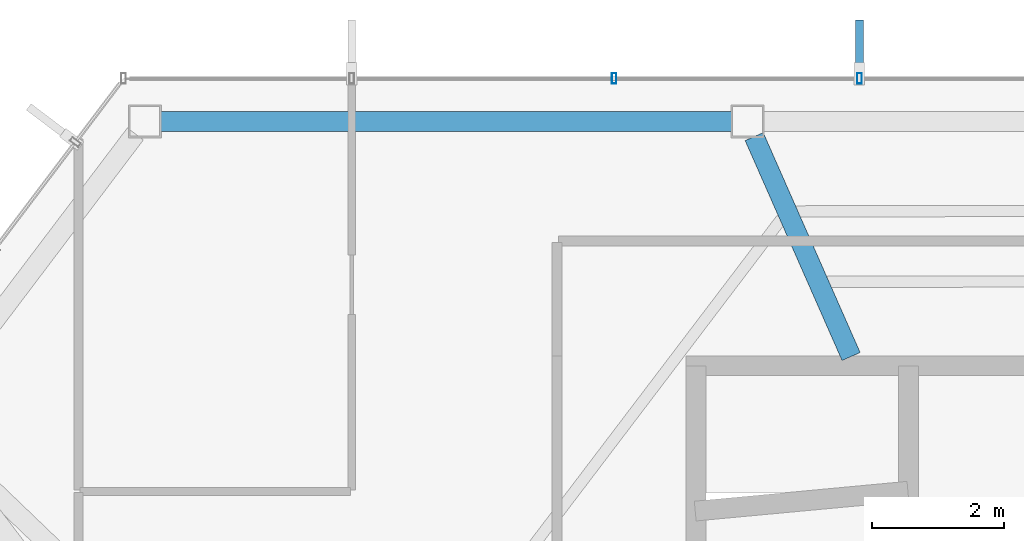
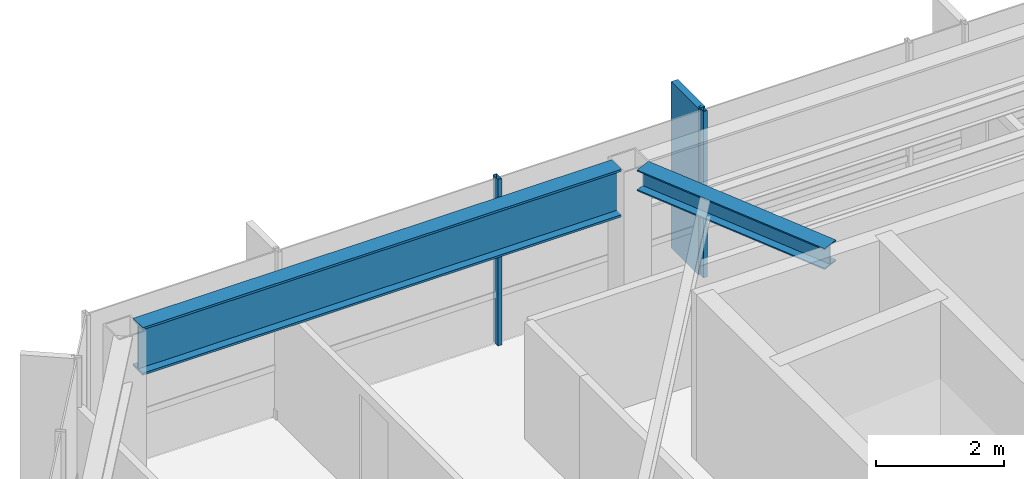
# One storey, part 11 of 24: 3 members, 2 beams, 1 element without a shape of its own.
"""IFC4 building model written with IfcOpenShell, lengths in metres."""

from ifc_helpers import new_model, si_unit, direction, frame, origin, origin_2d, place, context, subcontext, project, spatial, rectangle, hollow_rectangle, i_section, extrude, material, layer, layer_set, material_profile, profile_set, type_object, element, aggregate, save


model = new_model("IFC4")

# Units and contexts
model_context = context("Model", 3, precision=1e-05, world=origin(), true_north=direction((0.0, 1.0)))
body_context = subcontext(model_context, "Body", "Model", "MODEL_VIEW")
ifc_project = project(units=[si_unit("LENGTHUNIT", "METRE"), si_unit("AREAUNIT", "SQUARE_METRE"), si_unit("VOLUMEUNIT", "CUBIC_METRE"), si_unit("PLANEANGLEUNIT", "RADIAN"), si_unit("MASSUNIT", "GRAM", prefix="KILO")], contexts=[model_context])

# Site, building, storey
site_placement = place(None, origin())
site = spatial("IfcSite", under=ifc_project, at=site_placement, CompositionType="ELEMENT")
building_placement = place(site_placement, origin())
building = spatial("IfcBuilding", under=site, at=building_placement, Name="Zarrinselat Tower", CompositionType="ELEMENT")
storey_placement = place(building_placement, frame((0.0, 0.0, 272.0)))
storey = spatial("IfcBuildingStorey", under=building, at=storey_placement, Name="L69", CompositionType="ELEMENT", Elevation=272.0)

# Beams
ifc_material_1 = material(Name="Steel S355J2", Category="steel")
ifc_material_profile_1 = material_profile(ifc_material_1, i_section(OverallWidth=0.300048828125, OverallDepth=0.39990234375, WebThickness=0.013427734375, FlangeThickness=0.02392578125, at=origin_2d()), Name="HEB 400")
ifc_profile_set_1 = profile_set([ifc_material_profile_1], Name="Steel S355J2")
beam_type_1 = type_object("IfcBeamType", Name="BM-HEB400", PredefinedType="BEAM", material=ifc_profile_set_1)
beam_1_placement = place(storey_placement, frame((29.532958984375, 46.869384765625, 2.97998046875), z_axis=(0.403228794542, -0.9150991964, 0.0), x_axis=(0.9150991964, 0.403228794542, 0.0)))
element("IfcBeam", 1, at=beam_1_placement, inside=storey, type_object=beam_type_1, Name="L69 Radial Primary Girder RG04", PredefinedType="BEAM", context=body_context, shape_type="SweptSolid", body=[
    extrude(i_section(OverallWidth=0.300048828125, OverallDepth=0.39990234375, WebThickness=0.013427734375, FlangeThickness=0.02392578125, at=origin_2d()), origin(), (0.0, 0.0, 1.0), 3.63818359375),
])
ifc_material_2 = material(Name="Steel S460M", Category="steel")
ifc_material_profile_2 = material_profile(ifc_material_2, i_section(OverallWidth=0.302001953125, OverallDepth=0.909912109375, WebThickness=0.02099609375, FlangeThickness=0.0400390625, at=origin_2d()), Name="HEM 900")
ifc_profile_set_2 = profile_set([ifc_material_profile_2], Name="Steel S460M")
beam_type_2 = type_object("IfcBeamType", Name="BM-HEM900", PredefinedType="BEAM", material=ifc_profile_set_2)
beam_2_placement = place(storey_placement, frame((20.545166015625, 47.10009765625, 2.72509765625), z_axis=(1.0, 0.0, 0.0), x_axis=(0.0, 1.0, 0.0)))
element("IfcBeam", 2, at=beam_2_placement, inside=storey, type_object=beam_type_2, Name="L69 Perimeter Spandrel Girder SP04", PredefinedType="BEAM", context=body_context, shape_type="SweptSolid", body=[
    extrude(i_section(OverallWidth=0.302001953125, OverallDepth=0.909912109375, WebThickness=0.02099609375, FlangeThickness=0.0400390625, at=origin_2d()), origin(), (0.0, 0.0, 1.0), 8.648193359375),
])

# Curtain wall, members
ifc_material_3 = material(Name="Extruded Aluminium Alloy EN AW-6063 T6", Category="aluminium")
ifc_layer = layer(ifc_material_3, 0.169921875)
ifc_layer_set = layer_set([ifc_layer], Name="Extruded Aluminium Alloy EN AW-6063 T6")
curtain_wall_type = type_object("IfcCurtainWallType", Name="CWS-RES", PredefinedType="NOTDEFINED", material=ifc_layer_set)
curtain_wall_placement = place(storey_placement, origin())
curtain_wall = element("IfcCurtainWall", 3, at=curtain_wall_placement, inside=storey, type_object=curtain_wall_type, Name="L69 Unitised Curtain Wall CW-L69-E01", PredefinedType="NOTDEFINED")
ifc_material_4 = material(Name="Extruded Aluminium Alloy EN AW-6063 T6", Category="aluminium")
ifc_material_profile_3 = material_profile(ifc_material_4, hollow_rectangle(XDim=0.070068359375, YDim=0.159912109375, WallThickness=0.00390625, at=origin_2d()), Name="RHS 160x70x4")
ifc_profile_set_3 = profile_set([ifc_material_profile_3], Name="Extruded Aluminium Alloy EN AW-6063 T6")
member_type_1 = type_object("IfcMemberType", Name="MEM-CW-MUL2", PredefinedType="MULLION", material=ifc_profile_set_3)
member_1_placement = place(storey_placement, frame((31.12646484375, 47.75, 0.0), z_axis=(0.0, 0.0, 1.0), x_axis=(-1.0, 0.0, 0.0)))
member_1 = element("IfcMember", 4, at=member_1_placement, type_object=member_type_1, Name="CW-L69-E01 Mullion 9", PredefinedType="MULLION", context=body_context, shape_type="SweptSolid", body=[
    extrude(hollow_rectangle(XDim=0.070068359375, YDim=0.159912109375, WallThickness=0.00390625, at=origin_2d()), origin(), (0.0, 0.0, 1.0), 3.179931640625),
])
member_2_placement = place(storey_placement, frame((27.412353515625, 47.75, 0.0), z_axis=(0.0, 0.0, 1.0), x_axis=(-1.0, 0.0, 0.0)))
member_2 = element("IfcMember", 5, at=member_2_placement, type_object=member_type_1, Name="CW-L69-E01 Mullion 10", PredefinedType="MULLION", context=body_context, shape_type="SweptSolid", body=[
    extrude(hollow_rectangle(XDim=0.070068359375, YDim=0.159912109375, WallThickness=0.00390625, at=origin_2d()), origin(), (0.0, 0.0, 1.0), 3.179931640625),
])
ifc_material_5 = material(Name="Honed Cream Travertine Stone", Category="masonry")
ifc_material_profile_4 = material_profile(ifc_material_5, rectangle(XDim=0.1201171875, YDim=0.85009765625, at=origin_2d()), Name="FIN 850x120")
ifc_profile_set_4 = profile_set([ifc_material_profile_4], Name="Honed Cream Travertine Stone")
member_type_2 = type_object("IfcMemberType", Name="MEM-STONE-FIN", PredefinedType="USERDEFINED", material=ifc_profile_set_4)
member_3_placement = place(storey_placement, frame((31.12646484375, 48.2099609375, 0.0), z_axis=(0.0, 0.0, 1.0), x_axis=(1.0, 0.0, 0.0)))
member_3 = element("IfcMember", 6, at=member_3_placement, type_object=member_type_2, Name="L69 Stone Shading Fin CW-L69-E01-09", ObjectType="FIN", PredefinedType="USERDEFINED", context=body_context, shape_type="SweptSolid", body=[
    extrude(rectangle(XDim=0.1201171875, YDim=0.85009765625, at=origin_2d()), origin(), (0.0, 0.0, 1.0), 3.179931640625),
])
aggregate(curtain_wall, [member_1, member_3, member_2])

save(model, "model.ifc")
